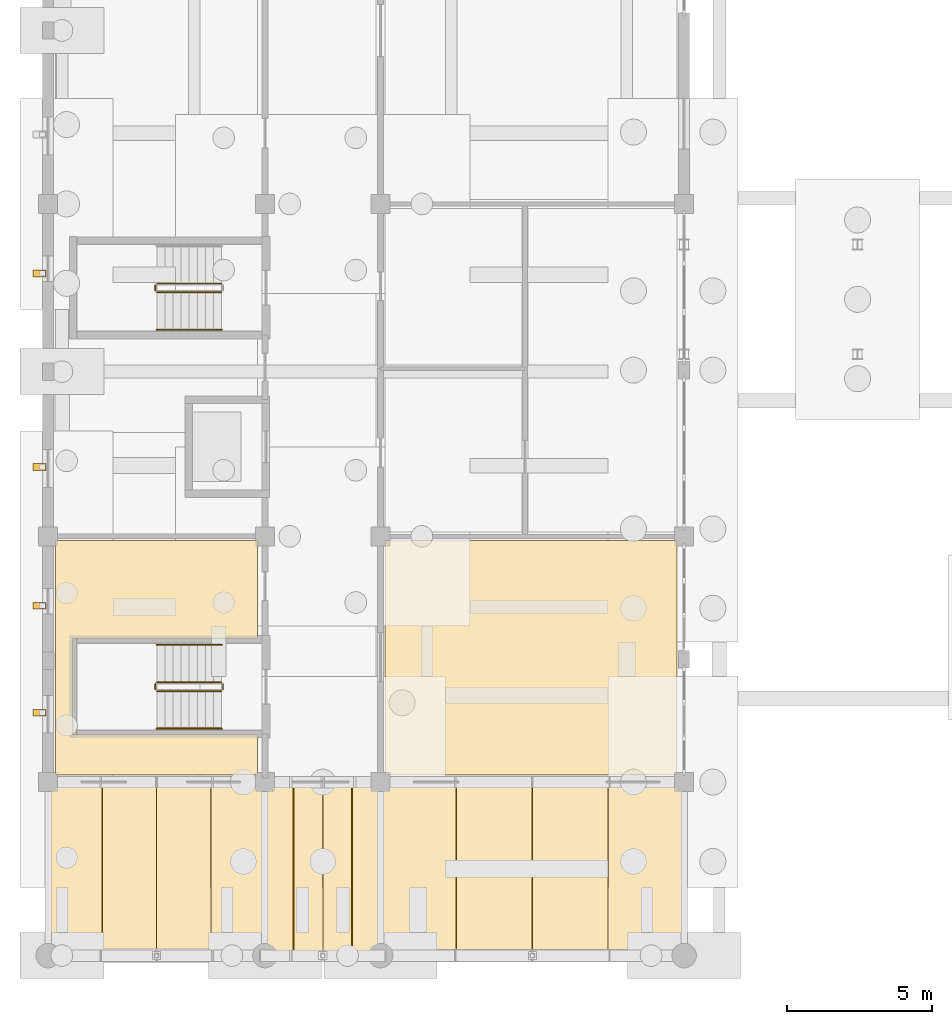
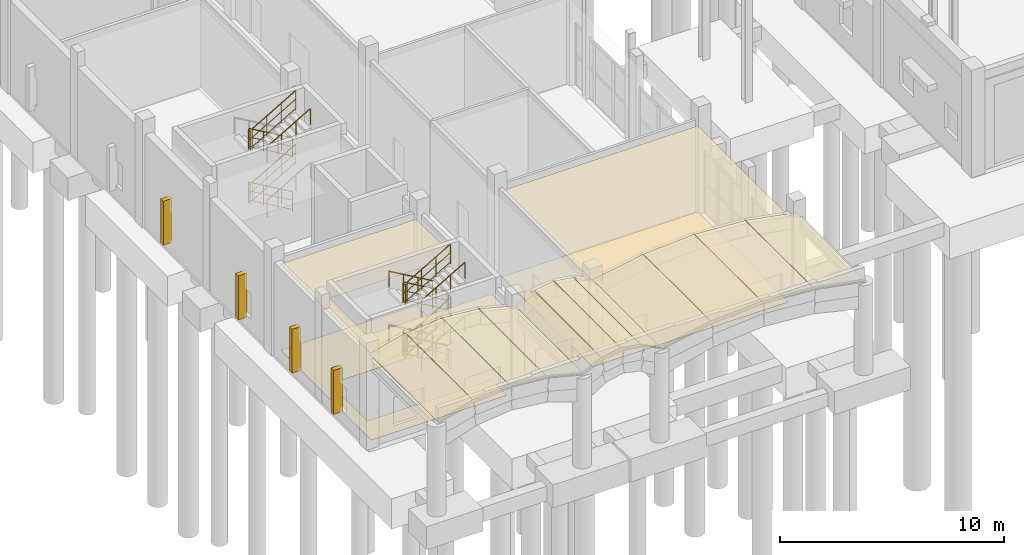
# One storey, part 50 of 60: 20 railings, 16 coverings, 4 shading devices.
"""IFC4 building model written with IfcOpenShell, lengths in metres."""

from ifc_helpers import new_model, si_unit, direction, frame, origin, origin_2d, place, context, subcontext, project, spatial, polyline, rectangle, circle, outline, extrude, material, layer, layer_set, type_object, element, save


model = new_model("IFC4")

# Units and contexts
model_context = context("Model", 3, precision=1e-05, world=origin(), true_north=direction((0.0, 1.0)))
body_context = subcontext(model_context, "Body", "Model", "MODEL_VIEW")
ifc_project = project(units=[si_unit("LENGTHUNIT", "METRE"), si_unit("AREAUNIT", "SQUARE_METRE"), si_unit("VOLUMEUNIT", "CUBIC_METRE"), si_unit("PLANEANGLEUNIT", "RADIAN"), si_unit("MASSUNIT", "GRAM", prefix="KILO")], contexts=[model_context])

# Site, building, storey
site_placement = place(None, origin())
site = spatial("IfcSite", under=ifc_project, at=site_placement, CompositionType="ELEMENT")
building_placement = place(site_placement, origin())
building = spatial("IfcBuilding", under=site, at=building_placement, Name="Trellovar Central Fire Station", CompositionType="ELEMENT")
storey_placement = place(building_placement, origin())
storey = spatial("IfcBuildingStorey", under=building, at=storey_placement, Name="L01", CompositionType="ELEMENT", Elevation=0.0)

# Coverings
ifc_material_1 = material(Name="Perforated acoustic mineral fiber ceiling tile", Category="mineral")
ifc_layer_1 = layer(ifc_material_1, 0.02490234375)
ifc_layer_set_1 = layer_set([ifc_layer_1], Name="Perforated acoustic mineral fiber ceiling tile")
covering_type_1 = type_object("IfcCoveringType", Name="COV-CLG1", PredefinedType="CEILING", material=ifc_layer_set_1)
covering_1_placement = place(storey_placement, frame((0.0, 0.0, 4.679931640625)))
element("IfcCovering", 1, at=covering_1_placement, inside=storey, type_object=covering_type_1, Name="Contaminated Gear Reception Vestibule suspended ceiling", PredefinedType="CEILING", context=body_context, shape_type="SweptSolid", body=[
    extrude(outline(polyline([(22.75, 9.25), (12.64990234375, 9.25), (12.64990234375, 17.35009765625), (22.75, 17.35009765625), (22.75, 9.25)])), origin(), (0.0, 0.0, 1.0), 0.025146484375),
])
covering_2_placement = place(storey_placement, frame((0.0, 0.0, 4.679931640625)))
element("IfcCovering", 2, at=covering_2_placement, inside=storey, type_object=covering_type_1, Name="Gross Decontamination Wash Room suspended ceiling", PredefinedType="CEILING", context=body_context, shape_type="SweptSolid", body=[
    extrude(outline(polyline([(8.25, 9.25), (1.25, 9.25), (1.25, 17.35009765625), (8.25, 17.35009765625), (8.25, 13.9599609375), (1.840087890625, 13.9599609375), (1.840087890625, 10.639892578125), (8.25, 10.639892578125), (8.25, 9.25)])), origin(), (0.0, 0.0, 1.0), 0.025146484375),
])
ifc_material_2 = material(Name="Vitrified Catalan ceramic floor tile", Category="masonry")
ifc_layer_2 = layer(ifc_material_2, 0.01806640625)
ifc_layer_set_2 = layer_set([ifc_layer_2], Name="Vitrified Catalan ceramic floor tile")
covering_type_2 = type_object("IfcCoveringType", Name="COV-FLR2", PredefinedType="FLOORING", material=ifc_layer_set_2)
covering_3_placement = place(storey_placement, origin())
element("IfcCovering", 3, at=covering_3_placement, inside=storey, type_object=covering_type_2, Name="Contaminated Gear Reception Vestibule floor finish", PredefinedType="FLOORING", context=body_context, shape_type="SweptSolid", body=[
    extrude(outline(polyline([(22.75, 9.25), (12.64990234375, 9.25), (12.64990234375, 17.35009765625), (22.75, 17.35009765625), (22.75, 9.25)])), origin(), (0.0, 0.0, 1.0), 0.01806640625),
])
covering_4_placement = place(storey_placement, origin())
element("IfcCovering", 4, at=covering_4_placement, inside=storey, type_object=covering_type_2, Name="Gross Decontamination Wash Room floor finish", PredefinedType="FLOORING", context=body_context, shape_type="SweptSolid", body=[
    extrude(outline(polyline([(8.25, 9.25), (1.25, 9.25), (1.25, 17.35009765625), (8.25, 17.35009765625), (8.25, 13.9599609375), (1.840087890625, 13.9599609375), (1.840087890625, 10.639892578125), (8.25, 10.639892578125), (8.25, 9.25)])), origin(), (0.0, 0.0, 1.0), 0.01806640625),
])
ifc_material_3 = material(Name="Glazed ceramic trencadis roofing", Category="masonry")
ifc_layer_3 = layer(ifc_material_3, 0.06005859375)
ifc_layer_set_3 = layer_set([ifc_layer_3], Name="Glazed ceramic trencadis roofing")
covering_type_3 = type_object("IfcCoveringType", Name="COV-RF1", PredefinedType="ROOFING", material=ifc_layer_set_3)
covering_5_placement = place(storey_placement, frame((1.001953125, 3.0, 4.96044921875), z_axis=(-0.251691090563, 0.0, 0.967807622894), x_axis=(0.967807622894, 0.0, 0.251691090563)))
element("IfcCovering", 5, at=covering_5_placement, inside=storey, type_object=covering_type_3, Name="V7W glazed trencadis vault covering 01-01", PredefinedType="ROOFING", context=body_context, shape_type="SweptSolid", body=[
    extrude(outline(polyline([(0.0, 0.0), (1.9176920984573167, 0.0), (1.9176920984573167, 6.0), (0.0, 6.0), (0.0, 0.0)])), origin(), (0.0, 0.0, -1.0), 0.06005859375),
])
for number, where, z_axis, x_axis, name in (
    (6, (2.876953125, 3.0, 5.44775390625), (-0.086292118201, 0.0, 0.996269878264), (0.996269878264, 0.0, 0.086292118201), "V7W glazed trencadis vault covering 01-02"),
    (7, (4.757080078125, 3.0, 5.609375), (0.086292118201, 0.0, 0.996269878264), (0.996269878264, 0.0, -0.086292118201), "V7W glazed trencadis vault covering 01-03"),
):
    element("IfcCovering", number, at=place(storey_placement, frame(where, z_axis=z_axis, x_axis=x_axis)), inside=storey, type_object=covering_type_3, Name=name, PredefinedType="ROOFING", context=body_context, shape_type="SweptSolid", body=[
        extrude(outline(polyline([(0.0, 0.0), (1.8729531400931774, 0.0), (1.8729531400931774, 6.0), (0.0, 6.0), (0.0, 0.0)])), origin(), (0.0, 0.0, -1.0), 0.06005859375),
    ])
covering_6_placement = place(storey_placement, frame((6.64208984375, 3.0, 5.443115234375), z_axis=(0.251691090563, 0.0, 0.967807622894), x_axis=(0.967807622894, 0.0, -0.251691090563)))
element("IfcCovering", 8, at=covering_6_placement, inside=storey, type_object=covering_type_3, Name="V7W glazed trencadis vault covering 01-04", PredefinedType="ROOFING", context=body_context, shape_type="SweptSolid", body=[
    extrude(outline(polyline([(0.0, 0.0), (1.9176920984573167, 0.0), (1.9176920984573167, 6.0), (0.0, 6.0), (0.0, 0.0)])), origin(), (0.0, 0.0, -1.0), 0.06005859375),
])
covering_7_placement = place(storey_placement, frame((8.501953125, 3.0, 4.9609375), z_axis=(-0.438138246987, 0.0, 0.898907601774), x_axis=(0.898907601774, 0.0, 0.438138246987)))
element("IfcCovering", 9, at=covering_7_placement, inside=storey, type_object=covering_type_3, Name="V7W glazed trencadis vault covering 02-01", PredefinedType="ROOFING", context=body_context, shape_type="SweptSolid", body=[
    extrude(outline(polyline([(0.0, 0.0), (1.0787833594759093, 0.0), (1.0787833594759093, 6.0), (0.0, 6.0), (0.0, 0.0)])), origin(), (0.0, 0.0, -1.0), 0.06005859375),
])
for number, where, z_axis, x_axis, name in (
    (10, (9.501953125, 3.0, 5.44775390625), (-0.160515083072, 0.0, 0.987033387534), (0.987033387534, 0.0, 0.160515083072), "V7W glazed trencadis vault covering 02-02"),
    (11, (10.51171875, 3.0, 5.608154296875), (0.160515083072, 0.0, 0.987033387534), (0.987033387534, 0.0, -0.160515083072), "V7W glazed trencadis vault covering 02-03"),
):
    element("IfcCovering", number, at=place(storey_placement, frame(where, z_axis=z_axis, x_axis=x_axis)), inside=storey, type_object=covering_type_3, Name=name, PredefinedType="ROOFING", context=body_context, shape_type="SweptSolid", body=[
        extrude(outline(polyline([(0.0, 0.0), (0.9992854724645348, 0.0), (0.9992854724645348, 6.000000000000002), (0.0, 6.000000000000002), (0.0, 0.0)])), origin(), (0.0, 0.0, -1.0), 0.06005859375),
    ])
covering_8_placement = place(storey_placement, frame((11.5283203125, 3.0, 5.43359375), z_axis=(0.438138246987, 0.0, 0.898907601774), x_axis=(0.898907601774, 0.0, -0.438138246987)))
element("IfcCovering", 12, at=covering_8_placement, inside=storey, type_object=covering_type_3, Name="V7W glazed trencadis vault covering 02-04", PredefinedType="ROOFING", context=body_context, shape_type="SweptSolid", body=[
    extrude(outline(polyline([(0.0, 0.0), (1.0787833594759093, 0.0), (1.0787833594759093, 6.0), (0.0, 6.0), (0.0, 0.0)])), origin(), (0.0, 0.0, -1.0), 0.06005859375),
])
covering_9_placement = place(storey_placement, frame((12.501953125, 3.0, 4.96044921875), z_axis=(-0.182550284253, 0.0, 0.983196518362), x_axis=(0.983196518362, 0.0, 0.182550284253)))
element("IfcCovering", 13, at=covering_9_placement, inside=storey, type_object=covering_type_3, Name="V7W glazed trencadis vault covering 03-01", PredefinedType="ROOFING", context=body_context, shape_type="SweptSolid", body=[
    extrude(outline(polyline([(0.0, 0.0), (2.6547158916138414, 0.0), (2.6547158916138414, 6.0), (0.0, 6.0), (0.0, 0.0)])), origin(), (0.0, 0.0, -1.0), 0.06005859375),
])
for number, where, z_axis, x_axis, name in (
    (14, (15.126953125, 3.0, 5.447509765625), (-0.061816074837, 0.0, 0.998087557728), (0.998087557728, 0.0, 0.061816074837), "V7W glazed trencadis vault covering 03-02"),
    (15, (17.755615234375, 3.0, 5.609619140625), (0.061816074837, 0.0, 0.998087557728), (0.998087557728, 0.0, -0.061816074837), "V7W glazed trencadis vault covering 03-03"),
):
    element("IfcCovering", number, at=place(storey_placement, frame(where, z_axis=z_axis, x_axis=x_axis)), inside=storey, type_object=covering_type_3, Name=name, PredefinedType="ROOFING", context=body_context, shape_type="SweptSolid", body=[
        extrude(outline(polyline([(0.0, 0.0), (2.6224469189685746, 0.0), (2.6224469189685746, 6.000000000000002), (0.0, 6.000000000000002), (0.0, 0.0)])), origin(), (0.0, 0.0, -1.0), 0.06005859375),
    ])
covering_10_placement = place(storey_placement, frame((20.387939453125, 3.0, 5.445068359375), z_axis=(0.182550284253, 0.0, 0.983196518362), x_axis=(0.983196518362, 0.0, -0.182550284253)))
element("IfcCovering", 16, at=covering_10_placement, inside=storey, type_object=covering_type_3, Name="V7W glazed trencadis vault covering 03-04", PredefinedType="ROOFING", context=body_context, shape_type="SweptSolid", body=[
    extrude(outline(polyline([(0.0, 0.0), (2.6547158916138414, 0.0), (2.6547158916138414, 6.0), (0.0, 6.0), (0.0, 0.0)])), origin(), (0.0, 0.0, -1.0), 0.06005859375),
])

# Railings
ifc_material_4 = material(Name="Patina bronze wrought metalwork", Category="metal")
ifc_layer_4 = layer(ifc_material_4, 0.048095703125)
ifc_layer_set_4 = layer_set([ifc_layer_4], Name="Patina bronze wrought metalwork")
railing_type_1 = type_object("IfcRailingType", Name="RL-STAIR", PredefinedType="HANDRAIL", material=ifc_layer_set_4)
railing_1_placement = place(storey_placement, frame((7.0, 13.75, 0.16259765625)))
element("IfcRailing", 17, at=railing_1_placement, inside=storey, type_object=railing_type_1, Name="L01 ST-03 stair handrail 1", PredefinedType="HANDRAIL", context=body_context, shape_type="SweptSolid", body=[
    extrude(circle(Radius=0.02392578125, at=origin_2d()), frame((0.0, 0.0, 0.8759765625), z_axis=(-0.864928887719, 0.0, 0.501894430323), x_axis=(0.0, -1.0, 0.0)), (0.0, 0.0, 1.0), 2.58984375),
    extrude(circle(Radius=0.02099609375, at=origin_2d()), origin(), (0.0, 0.0, 1.0), 0.851806640625),
    extrude(circle(Radius=0.02099609375, at=origin_2d()), frame((-0.74658203125, 0.0, 0.433349609375)), (0.0, 0.0, 1.0), 0.851806640625),
    extrude(circle(Radius=0.02099609375, at=origin_2d()), frame((-1.493408203125, 0.0, 0.866455078125)), (0.0, 0.0, 1.0), 0.851806640625),
    extrude(circle(Radius=0.02099609375, at=origin_2d()), frame((-2.239990234375, 0.0, 1.2998046875)), (0.0, 0.0, 1.0), 0.851806640625),
])
railing_2_placement = place(storey_placement, frame((4.760009765625, 10.85009765625, 1.625)))
element("IfcRailing", 18, at=railing_2_placement, inside=storey, type_object=railing_type_1, Name="L01 ST-03 stair handrail 2", PredefinedType="HANDRAIL", context=body_context, shape_type="SweptSolid", body=[
    extrude(circle(Radius=0.02392578125, at=origin_2d()), frame((0.0, 0.0, 0.8759765625), z_axis=(0.864887963814, 0.0, 0.501964949025), x_axis=(0.0, 1.0, 0.0)), (0.0, 0.0, 1.0), 2.58984375),
    extrude(circle(Radius=0.02099609375, at=origin_2d()), origin(), (0.0, 0.0, 1.0), 0.851806640625),
    extrude(circle(Radius=0.02099609375, at=origin_2d()), frame((0.74658203125, 0.0, 0.433349609375)), (0.0, 0.0, 1.0), 0.851806640625),
    extrude(circle(Radius=0.02099609375, at=origin_2d()), frame((1.493408203125, 0.0, 0.86669921875)), (0.0, 0.0, 1.0), 0.851806640625),
    extrude(circle(Radius=0.02099609375, at=origin_2d()), frame((2.239990234375, 0.0, 1.300048828125)), (0.0, 0.0, 1.0), 0.851806640625),
])
railing_3_placement = place(storey_placement, frame((7.0, 13.75, 3.08740234375)))
element("IfcRailing", 19, at=railing_3_placement, inside=storey, type_object=railing_type_1, Name="L01 ST-03 stair handrail 3", PredefinedType="HANDRAIL", context=body_context, shape_type="SweptSolid", body=[
    extrude(circle(Radius=0.02392578125, at=origin_2d()), frame((0.0, 0.0, 0.8759765625), z_axis=(-0.864887963814, 0.0, 0.501964949025), x_axis=(0.0, -1.0, 0.0)), (0.0, 0.0, 1.0), 2.58984375),
    extrude(circle(Radius=0.02099609375, at=origin_2d()), origin(), (0.0, 0.0, 1.0), 0.851806640625),
    extrude(circle(Radius=0.02099609375, at=origin_2d()), frame((-0.74658203125, 0.0, 0.433349609375)), (0.0, 0.0, 1.0), 0.851806640625),
    extrude(circle(Radius=0.02099609375, at=origin_2d()), frame((-1.493408203125, 0.0, 0.86669921875)), (0.0, 0.0, 1.0), 0.851806640625),
    extrude(circle(Radius=0.02099609375, at=origin_2d()), frame((-2.239990234375, 0.0, 1.300048828125)), (0.0, 0.0, 1.0), 0.851806640625),
])
for number, where, name in (
    (20, (4.760009765625, 10.85009765625, 4.550048828125), "L01 ST-03 stair handrail 4"),
    (21, (4.760009765625, 24.64990234375, 1.625), "L01 ST-04 stair handrail 2"),
    (22, (4.760009765625, 24.64990234375, 4.550048828125), "L01 ST-04 stair handrail 4"),
):
    element("IfcRailing", number, at=place(storey_placement, frame(where)), inside=storey, type_object=railing_type_1, Name=name, PredefinedType="HANDRAIL", context=body_context, shape_type="SweptSolid", body=[
        extrude(circle(Radius=0.02392578125, at=origin_2d()), frame((0.0, 0.0, 0.8759765625), z_axis=(0.864887963814, 0.0, 0.501964949025), x_axis=(0.0, 1.0, 0.0)), (0.0, 0.0, 1.0), 2.58984375),
        extrude(circle(Radius=0.02099609375, at=origin_2d()), origin(), (0.0, 0.0, 1.0), 0.851806640625),
        extrude(circle(Radius=0.02099609375, at=origin_2d()), frame((0.74658203125, 0.0, 0.433349609375)), (0.0, 0.0, 1.0), 0.851806640625),
        extrude(circle(Radius=0.02099609375, at=origin_2d()), frame((1.493408203125, 0.0, 0.86669921875)), (0.0, 0.0, 1.0), 0.851806640625),
        extrude(circle(Radius=0.02099609375, at=origin_2d()), frame((2.239990234375, 0.0, 1.300048828125)), (0.0, 0.0, 1.0), 0.851806640625),
    ])
ifc_material_5 = material(Name="Patina bronze wrought metalwork", Category="metal")
ifc_layer_5 = layer(ifc_material_5, 0.050048828125)
ifc_layer_set_5 = layer_set([ifc_layer_5], Name="Patina bronze wrought metalwork")
railing_type_2 = type_object("IfcRailingType", Name="RL-STGUARD", PredefinedType="GUARDRAIL", material=ifc_layer_set_5)
railing_4_placement = place(storey_placement, frame((7.0, 12.449951171875, 0.16259765625)))
element("IfcRailing", 23, at=railing_4_placement, inside=storey, type_object=railing_type_2, Name="L01 ST-03 stair guard 1", PredefinedType="GUARDRAIL", context=body_context, shape_type="SweptSolid", body=[
    extrude(circle(Radius=0.02392578125, at=origin_2d()), frame((0.0, 0.0, 1.076171875), z_axis=(-0.864928887719, 0.0, 0.501894430323), x_axis=(0.0, -1.0, 0.0)), (0.0, 0.0, 1.0), 2.58984375),
    extrude(circle(Radius=0.015625, at=origin_2d()), frame((0.0, 0.0, 0.10009765625), z_axis=(-0.864928887719, 0.0, 0.501894430323), x_axis=(0.0, -1.0, 0.0)), (0.0, 0.0, 1.0), 2.58984375),
    extrude(circle(Radius=0.015625, at=origin_2d()), frame((0.0, 0.0, 0.60498046875), z_axis=(-0.864928887719, 0.0, 0.501894430323), x_axis=(0.0, -1.0, 0.0)), (0.0, 0.0, 1.0), 2.58984375),
    extrude(circle(Radius=0.02099609375, at=origin_2d()), origin(), (0.0, 0.0, 1.0), 1.052001953125),
    extrude(circle(Radius=0.02099609375, at=origin_2d()), frame((-0.74658203125, 0.0, 0.433349609375)), (0.0, 0.0, 1.0), 1.052001953125),
    extrude(circle(Radius=0.02099609375, at=origin_2d()), frame((-1.493408203125, 0.0, 0.866455078125)), (0.0, 0.0, 1.0), 1.052001953125),
    extrude(circle(Radius=0.02099609375, at=origin_2d()), frame((-2.239990234375, 0.0, 1.2998046875)), (0.0, 0.0, 1.0), 1.052001953125),
])
railing_5_placement = place(storey_placement, frame((4.7099609375, 12.39990234375, 1.46240234375)))
element("IfcRailing", 24, at=railing_5_placement, inside=storey, type_object=railing_type_2, Name="L01 ST-03 stair guard 2", PredefinedType="GUARDRAIL", context=body_context, shape_type="SweptSolid", body=[
    extrude(circle(Radius=0.02392578125, at=origin_2d()), frame((0.0, 0.0, 1.076171875), z_axis=(0.0, -1.0, 0.0), x_axis=(1.0, 0.0, 0.0)), (0.0, 0.0, 1.0), 0.199951171875),
    extrude(circle(Radius=0.015625, at=origin_2d()), frame((0.0, 0.0, 0.10009765625), z_axis=(0.0, -1.0, 0.0), x_axis=(1.0, 0.0, 0.0)), (0.0, 0.0, 1.0), 0.199951171875),
    extrude(circle(Radius=0.015625, at=origin_2d()), frame((0.0, 0.0, 0.60498046875), z_axis=(0.0, -1.0, 0.0), x_axis=(1.0, 0.0, 0.0)), (0.0, 0.0, 1.0), 0.199951171875),
    extrude(circle(Radius=0.02099609375, at=origin_2d()), origin(), (0.0, 0.0, 1.0), 1.052001953125),
    extrude(circle(Radius=0.02099609375, at=origin_2d()), frame((0.0, -0.199951171875, 0.0)), (0.0, 0.0, 1.0), 1.052001953125),
])
railing_6_placement = place(storey_placement, frame((4.760009765625, 12.14990234375, 1.625)))
element("IfcRailing", 25, at=railing_6_placement, inside=storey, type_object=railing_type_2, Name="L01 ST-03 stair guard 3", PredefinedType="GUARDRAIL", context=body_context, shape_type="SweptSolid", body=[
    extrude(circle(Radius=0.02392578125, at=origin_2d()), frame((0.0, 0.0, 1.076171875), z_axis=(0.864887963814, 0.0, 0.501964949025), x_axis=(0.0, 1.0, 0.0)), (0.0, 0.0, 1.0), 2.58984375),
    extrude(circle(Radius=0.015625, at=origin_2d()), frame((0.0, 0.0, 0.10009765625), z_axis=(0.864887963814, 0.0, 0.501964949025), x_axis=(0.0, 1.0, 0.0)), (0.0, 0.0, 1.0), 2.58984375),
    extrude(circle(Radius=0.015625, at=origin_2d()), frame((0.0, 0.0, 0.60498046875), z_axis=(0.864887963814, 0.0, 0.501964949025), x_axis=(0.0, 1.0, 0.0)), (0.0, 0.0, 1.0), 2.58984375),
    extrude(circle(Radius=0.02099609375, at=origin_2d()), origin(), (0.0, 0.0, 1.0), 1.052001953125),
    extrude(circle(Radius=0.02099609375, at=origin_2d()), frame((0.74658203125, 0.0, 0.433349609375)), (0.0, 0.0, 1.0), 1.052001953125),
    extrude(circle(Radius=0.02099609375, at=origin_2d()), frame((1.493408203125, 0.0, 0.86669921875)), (0.0, 0.0, 1.0), 1.052001953125),
    extrude(circle(Radius=0.02099609375, at=origin_2d()), frame((2.239990234375, 0.0, 1.300048828125)), (0.0, 0.0, 1.0), 1.052001953125),
])
railing_7_placement = place(storey_placement, frame((7.050048828125, 12.39990234375, 2.925048828125)))
element("IfcRailing", 26, at=railing_7_placement, inside=storey, type_object=railing_type_2, Name="L01 ST-03 stair guard 4", PredefinedType="GUARDRAIL", context=body_context, shape_type="SweptSolid", body=[
    extrude(circle(Radius=0.02392578125, at=origin_2d()), frame((0.0, 0.0, 1.076171875), z_axis=(0.0, -1.0, 0.0), x_axis=(1.0, 0.0, 0.0)), (0.0, 0.0, 1.0), 0.199951171875),
    extrude(circle(Radius=0.015625, at=origin_2d()), frame((0.0, 0.0, 0.10009765625), z_axis=(0.0, -1.0, 0.0), x_axis=(1.0, 0.0, 0.0)), (0.0, 0.0, 1.0), 0.199951171875),
    extrude(circle(Radius=0.015625, at=origin_2d()), frame((0.0, 0.0, 0.60498046875), z_axis=(0.0, -1.0, 0.0), x_axis=(1.0, 0.0, 0.0)), (0.0, 0.0, 1.0), 0.199951171875),
    extrude(circle(Radius=0.02099609375, at=origin_2d()), origin(), (0.0, 0.0, 1.0), 1.052001953125),
    extrude(circle(Radius=0.02099609375, at=origin_2d()), frame((0.0, -0.199951171875, 0.0)), (0.0, 0.0, 1.0), 1.052001953125),
])
railing_8_placement = place(storey_placement, frame((7.0, 12.449951171875, 3.08740234375)))
element("IfcRailing", 27, at=railing_8_placement, inside=storey, type_object=railing_type_2, Name="L01 ST-03 stair guard 5", PredefinedType="GUARDRAIL", context=body_context, shape_type="SweptSolid", body=[
    extrude(circle(Radius=0.02392578125, at=origin_2d()), frame((0.0, 0.0, 1.076171875), z_axis=(-0.864887963814, 0.0, 0.501964949025), x_axis=(0.0, -1.0, 0.0)), (0.0, 0.0, 1.0), 2.58984375),
    extrude(circle(Radius=0.015625, at=origin_2d()), frame((0.0, 0.0, 0.10009765625), z_axis=(-0.864887963814, 0.0, 0.501964949025), x_axis=(0.0, -1.0, 0.0)), (0.0, 0.0, 1.0), 2.58984375),
    extrude(circle(Radius=0.015625, at=origin_2d()), frame((0.0, 0.0, 0.60498046875), z_axis=(-0.864887963814, 0.0, 0.501964949025), x_axis=(0.0, -1.0, 0.0)), (0.0, 0.0, 1.0), 2.58984375),
    extrude(circle(Radius=0.02099609375, at=origin_2d()), origin(), (0.0, 0.0, 1.0), 1.052001953125),
    extrude(circle(Radius=0.02099609375, at=origin_2d()), frame((-0.74658203125, 0.0, 0.433349609375)), (0.0, 0.0, 1.0), 1.052001953125),
    extrude(circle(Radius=0.02099609375, at=origin_2d()), frame((-1.493408203125, 0.0, 0.86669921875)), (0.0, 0.0, 1.0), 1.052001953125),
    extrude(circle(Radius=0.02099609375, at=origin_2d()), frame((-2.239990234375, 0.0, 1.300048828125)), (0.0, 0.0, 1.0), 1.052001953125),
])
railing_9_placement = place(storey_placement, frame((4.7099609375, 12.39990234375, 4.387451171875)))
element("IfcRailing", 28, at=railing_9_placement, inside=storey, type_object=railing_type_2, Name="L01 ST-03 stair guard 6", PredefinedType="GUARDRAIL", context=body_context, shape_type="SweptSolid", body=[
    extrude(circle(Radius=0.02392578125, at=origin_2d()), frame((0.0, 0.0, 1.076171875), z_axis=(0.0, -1.0, 0.0), x_axis=(1.0, 0.0, 0.0)), (0.0, 0.0, 1.0), 0.199951171875),
    extrude(circle(Radius=0.015625, at=origin_2d()), frame((0.0, 0.0, 0.10009765625), z_axis=(0.0, -1.0, 0.0), x_axis=(1.0, 0.0, 0.0)), (0.0, 0.0, 1.0), 0.199951171875),
    extrude(circle(Radius=0.015625, at=origin_2d()), frame((0.0, 0.0, 0.60498046875), z_axis=(0.0, -1.0, 0.0), x_axis=(1.0, 0.0, 0.0)), (0.0, 0.0, 1.0), 0.199951171875),
    extrude(circle(Radius=0.02099609375, at=origin_2d()), origin(), (0.0, 0.0, 1.0), 1.052001953125),
    extrude(circle(Radius=0.02099609375, at=origin_2d()), frame((0.0, -0.199951171875, 0.0)), (0.0, 0.0, 1.0), 1.052001953125),
])
railing_10_placement = place(storey_placement, frame((4.760009765625, 12.14990234375, 4.550048828125)))
element("IfcRailing", 29, at=railing_10_placement, inside=storey, type_object=railing_type_2, Name="L01 ST-03 stair guard 7", PredefinedType="GUARDRAIL", context=body_context, shape_type="SweptSolid", body=[
    extrude(circle(Radius=0.02392578125, at=origin_2d()), frame((0.0, 0.0, 1.076171875), z_axis=(0.864887963814, 0.0, 0.501964949025), x_axis=(0.0, 1.0, 0.0)), (0.0, 0.0, 1.0), 2.58984375),
    extrude(circle(Radius=0.015625, at=origin_2d()), frame((0.0, 0.0, 0.10009765625), z_axis=(0.864887963814, 0.0, 0.501964949025), x_axis=(0.0, 1.0, 0.0)), (0.0, 0.0, 1.0), 2.58984375),
    extrude(circle(Radius=0.015625, at=origin_2d()), frame((0.0, 0.0, 0.60498046875), z_axis=(0.864887963814, 0.0, 0.501964949025), x_axis=(0.0, 1.0, 0.0)), (0.0, 0.0, 1.0), 2.58984375),
    extrude(circle(Radius=0.02099609375, at=origin_2d()), origin(), (0.0, 0.0, 1.0), 1.052001953125),
    extrude(circle(Radius=0.02099609375, at=origin_2d()), frame((0.74658203125, 0.0, 0.433349609375)), (0.0, 0.0, 1.0), 1.052001953125),
    extrude(circle(Radius=0.02099609375, at=origin_2d()), frame((1.493408203125, 0.0, 0.86669921875)), (0.0, 0.0, 1.0), 1.052001953125),
    extrude(circle(Radius=0.02099609375, at=origin_2d()), frame((2.239990234375, 0.0, 1.300048828125)), (0.0, 0.0, 1.0), 1.052001953125),
])
railing_11_placement = place(storey_placement, frame((7.050048828125, 12.39990234375, 0.0)))
element("IfcRailing", 30, at=railing_11_placement, inside=storey, type_object=railing_type_2, Name="L01 ST-03 stair guard 8", PredefinedType="GUARDRAIL", context=body_context, shape_type="SweptSolid", body=[
    extrude(circle(Radius=0.02392578125, at=origin_2d()), frame((0.0, 0.0, 1.076171875), z_axis=(0.0, -1.0, 0.0), x_axis=(1.0, 0.0, 0.0)), (0.0, 0.0, 1.0), 0.199951171875),
    extrude(circle(Radius=0.015625, at=origin_2d()), frame((0.0, 0.0, 0.10009765625), z_axis=(0.0, -1.0, 0.0), x_axis=(1.0, 0.0, 0.0)), (0.0, 0.0, 1.0), 0.199951171875),
    extrude(circle(Radius=0.015625, at=origin_2d()), frame((0.0, 0.0, 0.60498046875), z_axis=(0.0, -1.0, 0.0), x_axis=(1.0, 0.0, 0.0)), (0.0, 0.0, 1.0), 0.199951171875),
    extrude(circle(Radius=0.02099609375, at=origin_2d()), origin(), (0.0, 0.0, 1.0), 1.052001953125),
    extrude(circle(Radius=0.02099609375, at=origin_2d()), frame((0.0, -0.199951171875, 0.0)), (0.0, 0.0, 1.0), 1.052001953125),
])
railing_12_placement = place(storey_placement, frame((7.0, 26.25, 0.16259765625)))
element("IfcRailing", 31, at=railing_12_placement, inside=storey, type_object=railing_type_2, Name="L01 ST-04 stair guard 1", PredefinedType="GUARDRAIL", context=body_context, shape_type="SweptSolid", body=[
    extrude(circle(Radius=0.02392578125, at=origin_2d()), frame((0.0, 0.0, 1.076171875), z_axis=(-0.864928887719, 0.0, 0.501894430323), x_axis=(0.0, -1.0, 0.0)), (0.0, 0.0, 1.0), 2.58984375),
    extrude(circle(Radius=0.015625, at=origin_2d()), frame((0.0, 0.0, 0.10009765625), z_axis=(-0.864928887719, 0.0, 0.501894430323), x_axis=(0.0, -1.0, 0.0)), (0.0, 0.0, 1.0), 2.58984375),
    extrude(circle(Radius=0.015625, at=origin_2d()), frame((0.0, 0.0, 0.60498046875), z_axis=(-0.864928887719, 0.0, 0.501894430323), x_axis=(0.0, -1.0, 0.0)), (0.0, 0.0, 1.0), 2.58984375),
    extrude(circle(Radius=0.02099609375, at=origin_2d()), origin(), (0.0, 0.0, 1.0), 1.052001953125),
    extrude(circle(Radius=0.02099609375, at=origin_2d()), frame((-0.74658203125, 0.0, 0.433349609375)), (0.0, 0.0, 1.0), 1.052001953125),
    extrude(circle(Radius=0.02099609375, at=origin_2d()), frame((-1.493408203125, 0.0, 0.866455078125)), (0.0, 0.0, 1.0), 1.052001953125),
    extrude(circle(Radius=0.02099609375, at=origin_2d()), frame((-2.239990234375, 0.0, 1.2998046875)), (0.0, 0.0, 1.0), 1.052001953125),
])
railing_13_placement = place(storey_placement, frame((4.7099609375, 26.199951171875, 1.46240234375)))
element("IfcRailing", 32, at=railing_13_placement, inside=storey, type_object=railing_type_2, Name="L01 ST-04 stair guard 2", PredefinedType="GUARDRAIL", context=body_context, shape_type="SweptSolid", body=[
    extrude(circle(Radius=0.02392578125, at=origin_2d()), frame((0.0, 0.0, 1.076171875), z_axis=(0.0, -1.0, 0.0), x_axis=(1.0, 0.0, 0.0)), (0.0, 0.0, 1.0), 0.199951171875),
    extrude(circle(Radius=0.015625, at=origin_2d()), frame((0.0, 0.0, 0.10009765625), z_axis=(0.0, -1.0, 0.0), x_axis=(1.0, 0.0, 0.0)), (0.0, 0.0, 1.0), 0.199951171875),
    extrude(circle(Radius=0.015625, at=origin_2d()), frame((0.0, 0.0, 0.60498046875), z_axis=(0.0, -1.0, 0.0), x_axis=(1.0, 0.0, 0.0)), (0.0, 0.0, 1.0), 0.199951171875),
    extrude(circle(Radius=0.02099609375, at=origin_2d()), origin(), (0.0, 0.0, 1.0), 1.052001953125),
    extrude(circle(Radius=0.02099609375, at=origin_2d()), frame((0.0, -0.199951171875, 0.0)), (0.0, 0.0, 1.0), 1.052001953125),
])
railing_14_placement = place(storey_placement, frame((4.760009765625, 25.949951171875, 1.625)))
element("IfcRailing", 33, at=railing_14_placement, inside=storey, type_object=railing_type_2, Name="L01 ST-04 stair guard 3", PredefinedType="GUARDRAIL", context=body_context, shape_type="SweptSolid", body=[
    extrude(circle(Radius=0.02392578125, at=origin_2d()), frame((0.0, 0.0, 1.076171875), z_axis=(0.864887963814, 0.0, 0.501964949025), x_axis=(0.0, 1.0, 0.0)), (0.0, 0.0, 1.0), 2.58984375),
    extrude(circle(Radius=0.015625, at=origin_2d()), frame((0.0, 0.0, 0.10009765625), z_axis=(0.864887963814, 0.0, 0.501964949025), x_axis=(0.0, 1.0, 0.0)), (0.0, 0.0, 1.0), 2.58984375),
    extrude(circle(Radius=0.015625, at=origin_2d()), frame((0.0, 0.0, 0.60498046875), z_axis=(0.864887963814, 0.0, 0.501964949025), x_axis=(0.0, 1.0, 0.0)), (0.0, 0.0, 1.0), 2.58984375),
    extrude(circle(Radius=0.02099609375, at=origin_2d()), origin(), (0.0, 0.0, 1.0), 1.052001953125),
    extrude(circle(Radius=0.02099609375, at=origin_2d()), frame((0.74658203125, 0.0, 0.433349609375)), (0.0, 0.0, 1.0), 1.052001953125),
    extrude(circle(Radius=0.02099609375, at=origin_2d()), frame((1.493408203125, 0.0, 0.86669921875)), (0.0, 0.0, 1.0), 1.052001953125),
    extrude(circle(Radius=0.02099609375, at=origin_2d()), frame((2.239990234375, 0.0, 1.300048828125)), (0.0, 0.0, 1.0), 1.052001953125),
])
railing_15_placement = place(storey_placement, frame((7.0, 26.25, 3.08740234375)))
element("IfcRailing", 34, at=railing_15_placement, inside=storey, type_object=railing_type_2, Name="L01 ST-04 stair guard 5", PredefinedType="GUARDRAIL", context=body_context, shape_type="SweptSolid", body=[
    extrude(circle(Radius=0.02392578125, at=origin_2d()), frame((0.0, 0.0, 1.076171875), z_axis=(-0.864887963814, 0.0, 0.501964949025), x_axis=(0.0, -1.0, 0.0)), (0.0, 0.0, 1.0), 2.58984375),
    extrude(circle(Radius=0.015625, at=origin_2d()), frame((0.0, 0.0, 0.10009765625), z_axis=(-0.864887963814, 0.0, 0.501964949025), x_axis=(0.0, -1.0, 0.0)), (0.0, 0.0, 1.0), 2.58984375),
    extrude(circle(Radius=0.015625, at=origin_2d()), frame((0.0, 0.0, 0.60498046875), z_axis=(-0.864887963814, 0.0, 0.501964949025), x_axis=(0.0, -1.0, 0.0)), (0.0, 0.0, 1.0), 2.58984375),
    extrude(circle(Radius=0.02099609375, at=origin_2d()), origin(), (0.0, 0.0, 1.0), 1.052001953125),
    extrude(circle(Radius=0.02099609375, at=origin_2d()), frame((-0.74658203125, 0.0, 0.433349609375)), (0.0, 0.0, 1.0), 1.052001953125),
    extrude(circle(Radius=0.02099609375, at=origin_2d()), frame((-1.493408203125, 0.0, 0.86669921875)), (0.0, 0.0, 1.0), 1.052001953125),
    extrude(circle(Radius=0.02099609375, at=origin_2d()), frame((-2.239990234375, 0.0, 1.300048828125)), (0.0, 0.0, 1.0), 1.052001953125),
])
railing_16_placement = place(storey_placement, frame((4.7099609375, 26.199951171875, 4.387451171875)))
element("IfcRailing", 35, at=railing_16_placement, inside=storey, type_object=railing_type_2, Name="L01 ST-04 stair guard 6", PredefinedType="GUARDRAIL", context=body_context, shape_type="SweptSolid", body=[
    extrude(circle(Radius=0.02392578125, at=origin_2d()), frame((0.0, 0.0, 1.076171875), z_axis=(0.0, -1.0, 0.0), x_axis=(1.0, 0.0, 0.0)), (0.0, 0.0, 1.0), 0.199951171875),
    extrude(circle(Radius=0.015625, at=origin_2d()), frame((0.0, 0.0, 0.10009765625), z_axis=(0.0, -1.0, 0.0), x_axis=(1.0, 0.0, 0.0)), (0.0, 0.0, 1.0), 0.199951171875),
    extrude(circle(Radius=0.015625, at=origin_2d()), frame((0.0, 0.0, 0.60498046875), z_axis=(0.0, -1.0, 0.0), x_axis=(1.0, 0.0, 0.0)), (0.0, 0.0, 1.0), 0.199951171875),
    extrude(circle(Radius=0.02099609375, at=origin_2d()), origin(), (0.0, 0.0, 1.0), 1.052001953125),
    extrude(circle(Radius=0.02099609375, at=origin_2d()), frame((0.0, -0.199951171875, 0.0)), (0.0, 0.0, 1.0), 1.052001953125),
])
railing_17_placement = place(storey_placement, frame((4.760009765625, 25.949951171875, 4.550048828125)))
element("IfcRailing", 36, at=railing_17_placement, inside=storey, type_object=railing_type_2, Name="L01 ST-04 stair guard 7", PredefinedType="GUARDRAIL", context=body_context, shape_type="SweptSolid", body=[
    extrude(circle(Radius=0.02392578125, at=origin_2d()), frame((0.0, 0.0, 1.076171875), z_axis=(0.864887963814, 0.0, 0.501964949025), x_axis=(0.0, 1.0, 0.0)), (0.0, 0.0, 1.0), 2.58984375),
    extrude(circle(Radius=0.015625, at=origin_2d()), frame((0.0, 0.0, 0.10009765625), z_axis=(0.864887963814, 0.0, 0.501964949025), x_axis=(0.0, 1.0, 0.0)), (0.0, 0.0, 1.0), 2.58984375),
    extrude(circle(Radius=0.015625, at=origin_2d()), frame((0.0, 0.0, 0.60498046875), z_axis=(0.864887963814, 0.0, 0.501964949025), x_axis=(0.0, 1.0, 0.0)), (0.0, 0.0, 1.0), 2.58984375),
    extrude(circle(Radius=0.02099609375, at=origin_2d()), origin(), (0.0, 0.0, 1.0), 1.052001953125),
    extrude(circle(Radius=0.02099609375, at=origin_2d()), frame((0.74658203125, 0.0, 0.433349609375)), (0.0, 0.0, 1.0), 1.052001953125),
    extrude(circle(Radius=0.02099609375, at=origin_2d()), frame((1.493408203125, 0.0, 0.86669921875)), (0.0, 0.0, 1.0), 1.052001953125),
    extrude(circle(Radius=0.02099609375, at=origin_2d()), frame((2.239990234375, 0.0, 1.300048828125)), (0.0, 0.0, 1.0), 1.052001953125),
])

# Shading devices
ifc_material_6 = material(Name="Patina bronze wrought metalwork", Category="metal")
shading_device_type = type_object("IfcShadingDeviceType", Name="SHD-LV2", PredefinedType="SHUTTER", material=ifc_material_6)
for number, where, z_axis, x_axis, name in (
    (37, (0.705078125, 11.39990234375, 0.449951171875), (0.0, 0.0, 1.0), (1.0, 0.0, 0.0), "L01 Catalan solar brise-soleil LV-2"),
    (38, (0.705078125, 15.10009765625, 0.449951171875), (0.0, 0.0, 1.0), (1.0, 0.0, 0.0), "L01 Catalan solar brise-soleil LV-2"),
    (39, (0.705078125, 19.89990234375, 0.449951171875), (0.0, 0.0, 1.0), (1.0, 0.0, 0.0), "L01 Catalan solar brise-soleil LV-2"),
    (40, (0.705078125, 26.60009765625, 0.449951171875), (0.0, 0.0, 1.0), (1.0, 0.0, 0.0), "L01 Catalan solar brise-soleil LV-2"),
):
    element("IfcShadingDevice", number, at=place(storey_placement, frame(where, z_axis=z_axis, x_axis=x_axis)), inside=storey, type_object=shading_device_type, Name=name, PredefinedType="SHUTTER", context=body_context, shape_type="SweptSolid", body=[
        extrude(rectangle(XDim=0.449951171875, YDim=0.239990234375, at=origin_2d()), origin(), (0.0, 0.0, 1.0), 2.39990234375),
    ])

save(model, "model.ifc")
